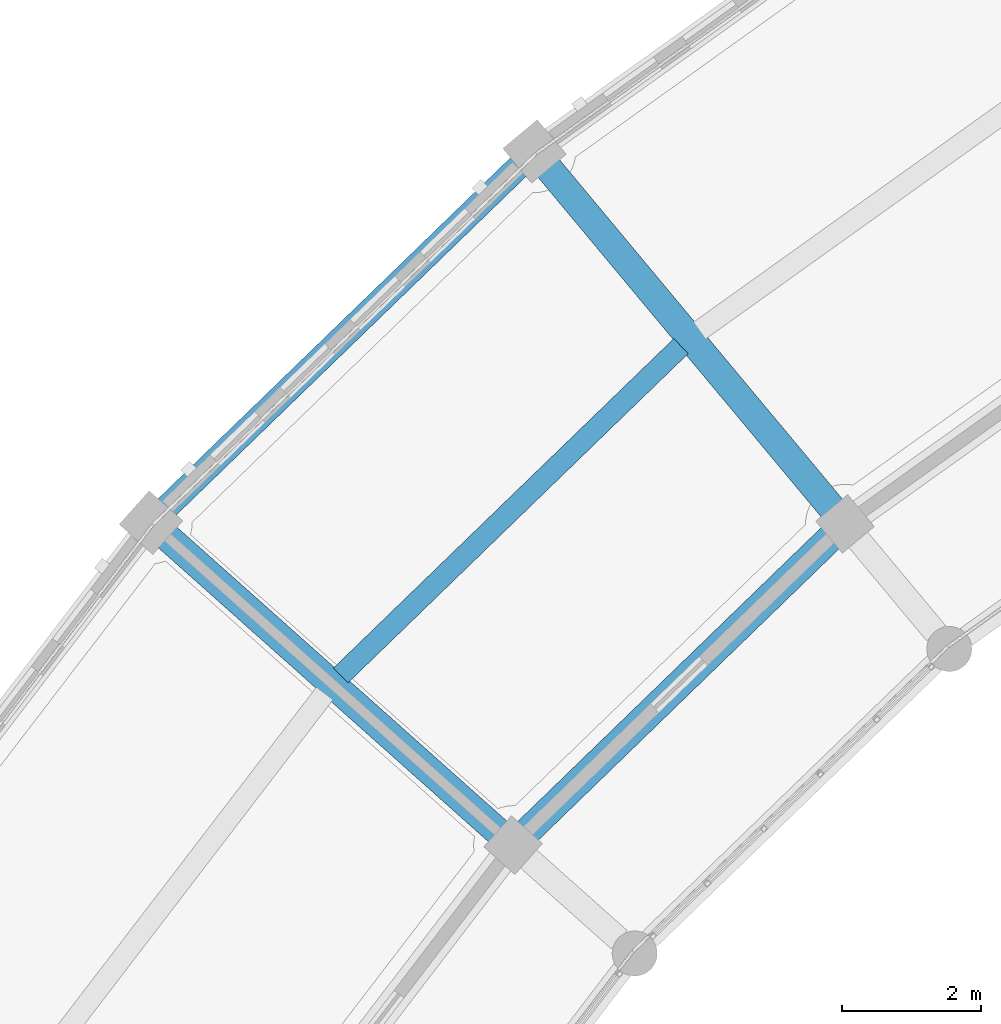
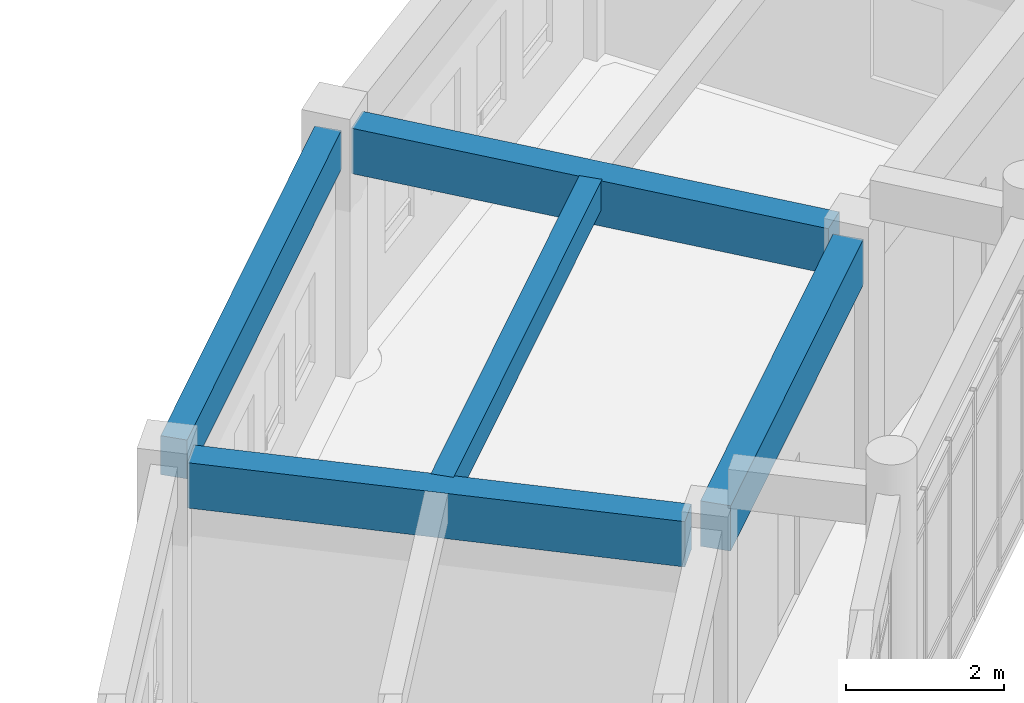
# One storey, part 66 of 159: 5 beams.
"""IFC4 building model written with IfcOpenShell, lengths in metres."""

from ifc_helpers import new_model, si_unit, direction, frame, origin, origin_2d, place, context, subcontext, project, spatial, rectangle, extrude, material, material_profile, profile_set, type_object, element, save


model = new_model("IFC4")

# Units and contexts
model_context = context("Model", 3, precision=1e-05, world=origin(), true_north=direction((0.0, 1.0)))
body_context = subcontext(model_context, "Body", "Model", "MODEL_VIEW")
ifc_project = project(units=[si_unit("LENGTHUNIT", "METRE"), si_unit("AREAUNIT", "SQUARE_METRE"), si_unit("VOLUMEUNIT", "CUBIC_METRE"), si_unit("PLANEANGLEUNIT", "RADIAN"), si_unit("MASSUNIT", "GRAM", prefix="KILO")], contexts=[model_context])

# Site, building, storey
site_placement = place(None, origin())
site = spatial("IfcSite", under=ifc_project, at=site_placement, CompositionType="ELEMENT")
building_placement = place(site_placement, origin())
building = spatial("IfcBuilding", under=site, at=building_placement, Name="Celadon Cloister-Ring School", CompositionType="ELEMENT")
storey_placement = place(building_placement, frame((0.0, 0.0, 4.5)))
storey = spatial("IfcBuildingStorey", under=building, at=storey_placement, Name="L01", CompositionType="ELEMENT", Elevation=4.5)

# Beams
ifc_material_1 = material(Name="Concrete C35/45", Category="concrete")
ifc_material_profile_1 = material_profile(ifc_material_1, rectangle(XDim=0.39990234375, YDim=0.699951171875, at=origin_2d()), Name="RC400X700")
ifc_profile_set_1 = profile_set([ifc_material_profile_1], Name="Concrete C35/45")
beam_type_1 = type_object("IfcBeamType", Name="GT-03", PredefinedType="USERDEFINED", material=ifc_profile_set_1)
beam_1_placement = place(storey_placement, frame((53.89501953125, 98.7109375, 3.429931640625), z_axis=(0.640318943217, -0.768109140003, 0.0), x_axis=(0.768109140003, 0.640318943217, 0.0)))
element("IfcBeam", 1, at=beam_1_placement, inside=storey, type_object=beam_type_1, Name="Beam 0201", ObjectType="GIRDER", PredefinedType="USERDEFINED", context=body_context, shape_type="SweptSolid", body=[
    extrude(rectangle(XDim=0.39990234375, YDim=0.699951171875, at=origin_2d()), origin(), (0.0, 0.0, 1.0), 6.425048828125),
])
beam_2_placement = place(storey_placement, frame((48.39208984375, 93.384033203125, 3.429931640625), z_axis=(0.746775820792, -0.665075840398, 0.0), x_axis=(0.665075840398, 0.746775820792, 0.0)))
element("IfcBeam", 2, at=beam_2_placement, inside=storey, type_object=beam_type_1, Name="Beam 0203", ObjectType="GIRDER", PredefinedType="USERDEFINED", context=body_context, shape_type="SweptSolid", body=[
    extrude(rectangle(XDim=0.39990234375, YDim=0.699951171875, at=origin_2d()), origin(), (0.0, 0.0, 1.0), 6.4248046875),
])
beam_3_placement = place(storey_placement, frame((57.987060546875, 93.3740234375, 3.429931640625), z_axis=(-0.718371111719, -0.695660079239, 0.0), x_axis=(0.695660079239, -0.718371111719, 0.0)))
element("IfcBeam", 3, at=beam_3_placement, inside=storey, type_object=beam_type_1, Name="Beam 0272", ObjectType="GIRDER", PredefinedType="USERDEFINED", context=body_context, shape_type="SweptSolid", body=[
    extrude(rectangle(XDim=0.39990234375, YDim=0.699951171875, at=origin_2d()), origin(), (0.0, 0.0, 1.0), 6.11669921875),
])
ifc_material_2 = material(Name="Concrete C35/45", Category="concrete")
ifc_material_profile_2 = material_profile(ifc_material_2, rectangle(XDim=0.300048828125, YDim=0.449951171875, at=origin_2d()), Name="RC300X450")
ifc_profile_set_2 = profile_set([ifc_material_profile_2], Name="Concrete C35/45")
beam_type_2 = type_object("IfcBeamType", Name="JT-01", PredefinedType="JOIST", material=ifc_profile_set_2)
beam_4_placement = place(storey_placement, frame((55.818115234375, 96.131103515625, 3.554931640625), z_axis=(-0.718568166396, -0.695456533683, 0.0), x_axis=(0.695456533683, -0.718568166396, 0.0)))
element("IfcBeam", 4, at=beam_4_placement, inside=storey, type_object=beam_type_2, Name="Beam 0274", PredefinedType="JOIST", context=body_context, shape_type="SweptSolid", body=[
    extrude(rectangle(XDim=0.300048828125, YDim=0.449951171875, at=origin_2d()), origin(), (0.0, 0.0, 1.0), 6.834716796875),
])
ifc_material_3 = material(Name="Concrete C35/45", Category="concrete")
ifc_material_profile_3 = material_profile(ifc_material_3, rectangle(XDim=0.35009765625, YDim=0.60009765625, at=origin_2d()), Name="RC350X600")
ifc_profile_set_3 = profile_set([ifc_material_profile_3], Name="Concrete C35/45")
beam_type_3 = type_object("IfcBeamType", Name="SP-01", PredefinedType="SPANDREL", material=ifc_profile_set_3)
beam_5_placement = place(storey_placement, frame((53.487060546875, 98.73193359375, 3.47998046875), z_axis=(-0.718563347937, -0.695461512236, 0.0), x_axis=(0.695461512236, -0.718563347937, 0.0)))
element("IfcBeam", 5, at=beam_5_placement, inside=storey, type_object=beam_type_3, Name="Beam 0271", PredefinedType="SPANDREL", context=body_context, shape_type="SweptSolid", body=[
    extrude(rectangle(XDim=0.35009765625, YDim=0.60009765625, at=origin_2d()), origin(), (0.0, 0.0, 1.0), 7.101806640625),
])

save(model, "model.ifc")
